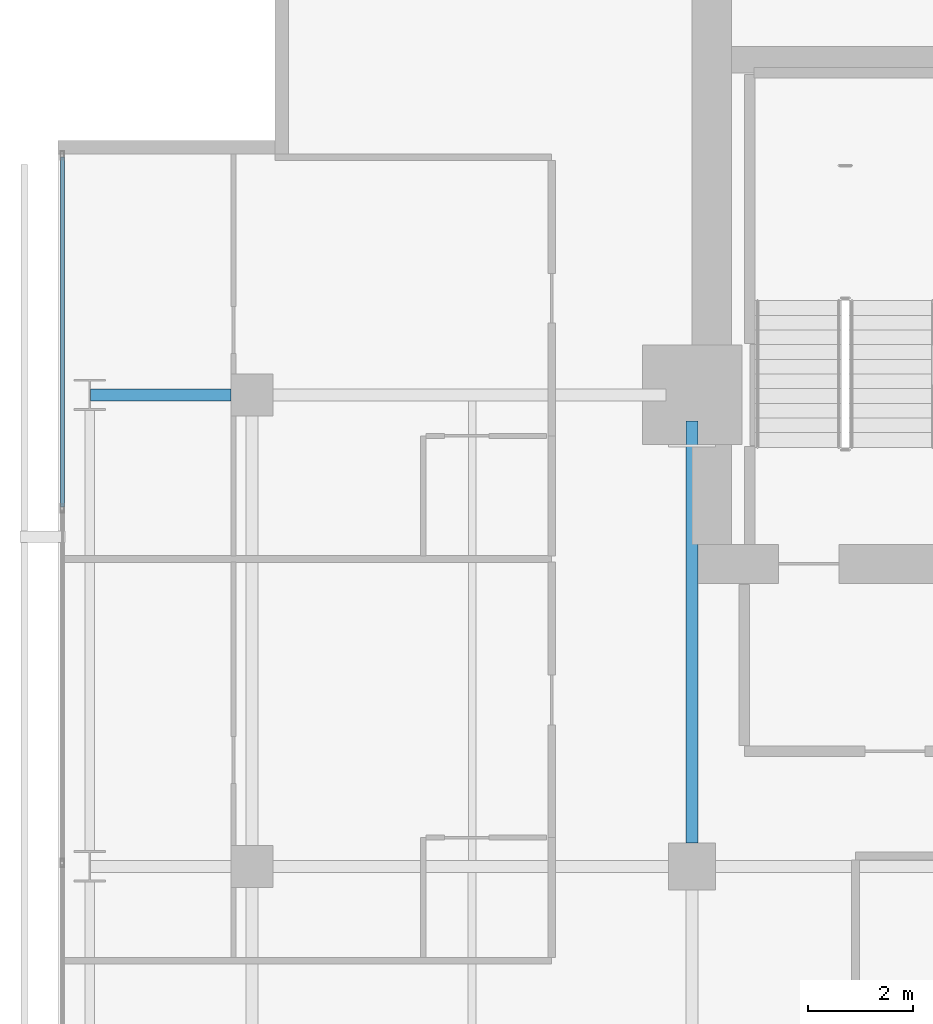
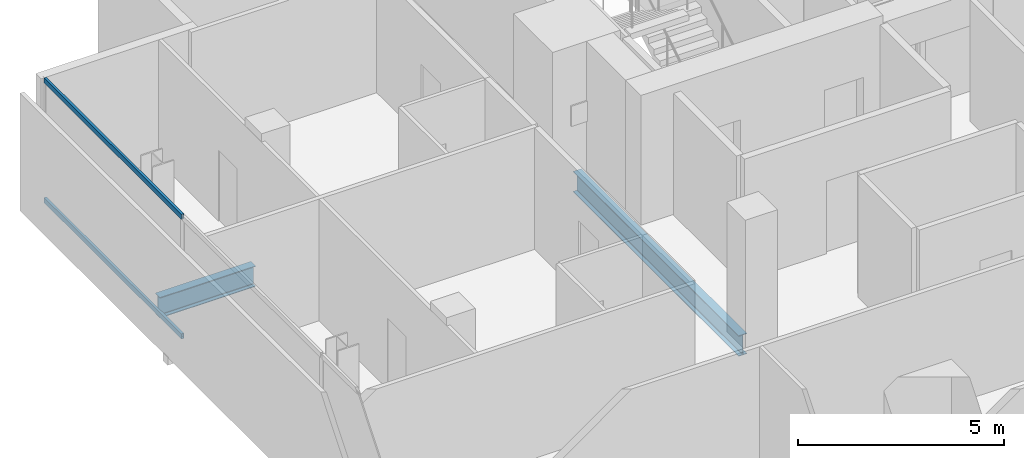
# One storey, part 19 of 33: 2 beams, 2 members, 1 element without a shape of its own.
"""IFC4 building model written with IfcOpenShell, lengths in metres."""

from ifc_helpers import new_model, si_unit, direction, frame, origin, origin_2d, place, context, subcontext, project, spatial, hollow_rectangle, i_section, extrude, material, layer, layer_set, material_profile, profile_set, type_object, element, aggregate, save


model = new_model("IFC4")

# Units and contexts
model_context = context("Model", 3, precision=1e-05, world=origin(), true_north=direction((0.0, 1.0)))
body_context = subcontext(model_context, "Body", "Model", "MODEL_VIEW")
ifc_project = project(units=[si_unit("LENGTHUNIT", "METRE"), si_unit("AREAUNIT", "SQUARE_METRE"), si_unit("VOLUMEUNIT", "CUBIC_METRE"), si_unit("PLANEANGLEUNIT", "RADIAN"), si_unit("MASSUNIT", "GRAM", prefix="KILO")], contexts=[model_context])

# Site, building, storey
site_placement = place(None, origin())
site = spatial("IfcSite", under=ifc_project, at=site_placement, CompositionType="ELEMENT")
building_placement = place(site_placement, origin())
building = spatial("IfcBuilding", under=site, at=building_placement, Name="Maruvema Waterfront Hotel and Observation Tower", CompositionType="ELEMENT")
storey_placement = place(building_placement, frame((0.0, 0.0, 138.949951171875)))
storey = spatial("IfcBuildingStorey", under=building, at=storey_placement, Name="L33", CompositionType="ELEMENT", Elevation=138.949951171875)

# Curtain wall, members
ifc_material_1 = material(Name="Anodised bronze aluminium and solar-control low-E IGU", Category="aluminium")
ifc_layer = layer(ifc_material_1, 0.159912109375, Name="Zone 2 Amber Inner Thermal Curtain Wall System CW-03")
ifc_layer_set = layer_set([ifc_layer], Name="Anodised bronze aluminium and solar-control low-E IGU")
curtain_wall_type = type_object("IfcCurtainWallType", Name="Zone 2 Amber Inner Thermal Curtain Wall System CW-03", PredefinedType="USERDEFINED", material=ifc_layer_set)
curtain_wall_placement = place(storey_placement, origin())
curtain_wall = element("IfcCurtainWall", 1, at=curtain_wall_placement, inside=storey, type_object=curtain_wall_type, Name="L33 Curtain Wall CW-L33-W", ObjectType="UNITISED CURTAIN WALL", PredefinedType="USERDEFINED")
ifc_material_2 = material(Name="Anodised architectural bronze aluminium", Category="aluminium")
ifc_material_profile_1 = material_profile(ifc_material_2, hollow_rectangle(XDim=0.070068359375, YDim=0.14990234375, WallThickness=0.00390625, at=origin_2d()), Name="ALU-T70x150")
ifc_profile_set_1 = profile_set([ifc_material_profile_1], Name="Anodised architectural bronze aluminium")
member_type = type_object("IfcMemberType", Name="Curtain Wall Horizontal Transom ALU-T70x150", PredefinedType="USERDEFINED", material=ifc_profile_set_1)
member_1_placement = place(storey_placement, frame((13.179931640625, 49.5400390625, 0.030029296875), z_axis=(0.0, -1.0, 0.0), x_axis=(1.0, 0.0, 0.0)))
member_1 = element("IfcMember", 2, at=member_1_placement, type_object=member_type, Name="CW-03 transom 1.1", ObjectType="TRANSOM", PredefinedType="USERDEFINED", context=body_context, shape_type="SweptSolid", body=[
    extrude(hollow_rectangle(XDim=0.070068359375, YDim=0.14990234375, WallThickness=0.00390625, at=origin_2d()), origin(), (0.0, 0.0, 1.0), 6.6767578125),
])
member_2_placement = place(storey_placement, frame((13.179931640625, 49.5400390625, 3.580078125), z_axis=(0.0, -1.0, 0.0), x_axis=(1.0, 0.0, 0.0)))
member_2 = element("IfcMember", 3, at=member_2_placement, type_object=member_type, Name="CW-03 transom 1.2", ObjectType="TRANSOM", PredefinedType="USERDEFINED", context=body_context, shape_type="SweptSolid", body=[
    extrude(hollow_rectangle(XDim=0.070068359375, YDim=0.14990234375, WallThickness=0.00390625, at=origin_2d()), origin(), (0.0, 0.0, 1.0), 6.6767578125),
])
aggregate(curtain_wall, [member_1, member_2])

# Beams
ifc_material_3 = material(Name="Steel ASTM A572 Grade 50", Category="steel")
ifc_material_profile_2 = material_profile(ifc_material_3, i_section(OverallWidth=0.22900390625, OverallDepth=0.612060546875, WebThickness=0.011962890625, FlangeThickness=0.01953125, FilletRadius=0.01806640625, at=origin_2d()), Name="W610x125.0")
ifc_profile_set_2 = profile_set([ifc_material_profile_2], Name="Steel ASTM A572 Grade 50")
beam_type = type_object("IfcBeamType", Name="Primary Floor Girder W610x125.0", PredefinedType="BEAM", material=ifc_profile_set_2)
beam_1_placement = place(storey_placement, frame((13.71240234375, 45.0, -0.5458984375), z_axis=(1.0, 0.0, 0.0), x_axis=(0.0, 1.0, 0.0)))
element("IfcBeam", 4, at=beam_1_placement, inside=storey, type_object=beam_type, Name="L33 Floor Girder EW-30", PredefinedType="BEAM", context=body_context, shape_type="SweptSolid", body=[
    extrude(i_section(OverallWidth=0.22900390625, OverallDepth=0.612060546875, WebThickness=0.011962890625, FlangeThickness=0.01953125, FilletRadius=0.01806640625, at=origin_2d()), origin(), (0.0, 0.0, 1.0), 2.6875),
])
beam_2_placement = place(storey_placement, frame((25.199951171875, 36.449951171875, -0.5458984375), z_axis=(0.0, 1.0, 0.0), x_axis=(-1.0, 0.0, 0.0)))
element("IfcBeam", 5, at=beam_2_placement, inside=storey, type_object=beam_type, Name="L33 Floor Girder NS-13", PredefinedType="BEAM", context=body_context, shape_type="SweptSolid", body=[
    extrude(i_section(OverallWidth=0.22900390625, OverallDepth=0.612060546875, WebThickness=0.011962890625, FlangeThickness=0.01953125, FilletRadius=0.01806640625, at=origin_2d()), origin(), (0.0, 0.0, 1.0), 8.050048828125),
])

save(model, "model.ifc")
